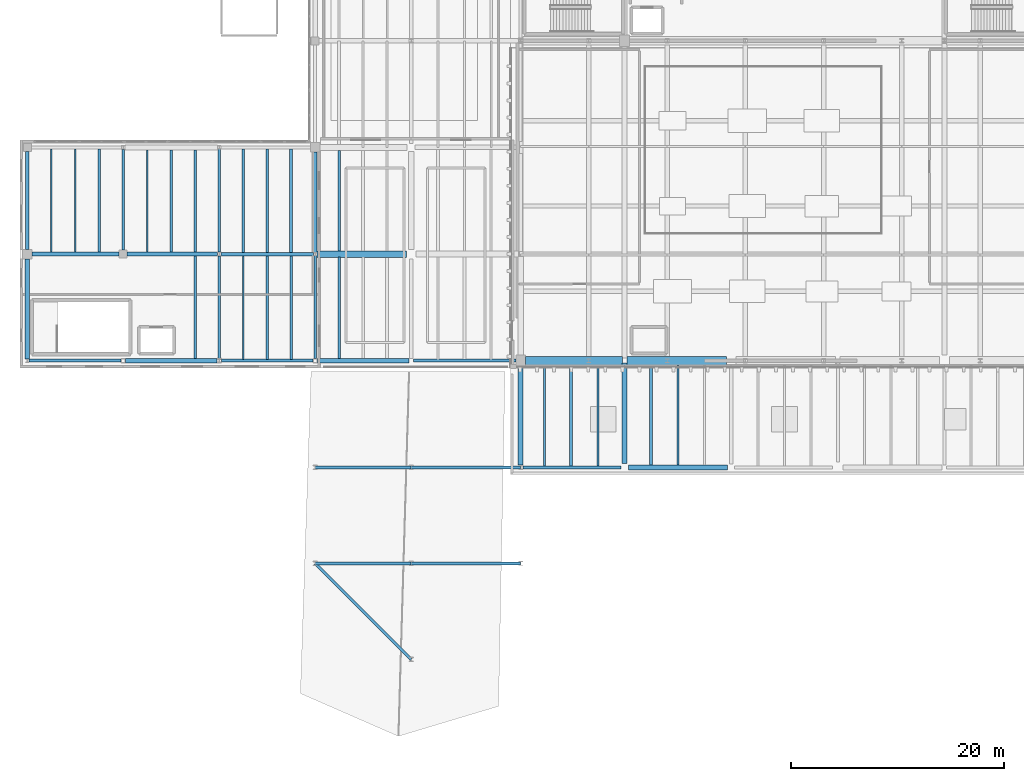
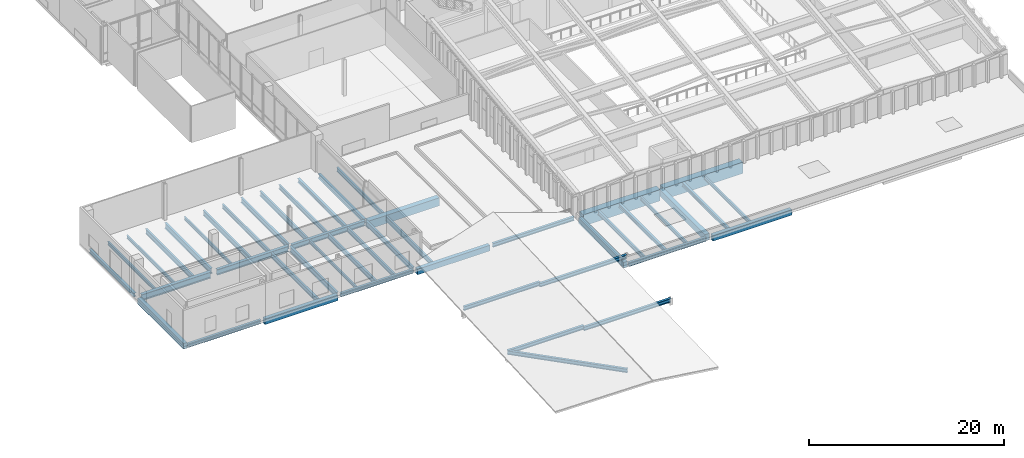
# One storey, part 9 of 30: 47 beams.
"""IFC4 building model written with IfcOpenShell, lengths in metres."""

from ifc_helpers import new_model, si_unit, direction, frame, origin, origin_2d, place, context, subcontext, project, spatial, rectangle, i_section, extrude, material, material_profile, profile_set, type_object, element, save


model = new_model("IFC4")

# Units and contexts
model_context = context("Model", 3, precision=1e-05, world=origin(), true_north=direction((0.0, 1.0)))
body_context = subcontext(model_context, "Body", "Model", "MODEL_VIEW")
ifc_project = project(units=[si_unit("LENGTHUNIT", "METRE"), si_unit("AREAUNIT", "SQUARE_METRE"), si_unit("VOLUMEUNIT", "CUBIC_METRE"), si_unit("PLANEANGLEUNIT", "RADIAN"), si_unit("MASSUNIT", "GRAM", prefix="KILO")], contexts=[model_context])

# Site, building, storey
site_placement = place(None, origin())
site = spatial("IfcSite", under=ifc_project, at=site_placement, CompositionType="ELEMENT")
building_placement = place(site_placement, origin())
building = spatial("IfcBuilding", under=site, at=building_placement, Name="Trimount Lyric Opera House", CompositionType="ELEMENT")
storey_placement = place(building_placement, frame((0.0, 0.0, 24.800048828125)))
storey = spatial("IfcBuildingStorey", under=building, at=storey_placement, Name="L05", CompositionType="ELEMENT", Elevation=24.800048828125)

# Beams
ifc_material_1 = material(Name="Steel ASTM A992 Grade 50", Category="steel")
ifc_material_profile_1 = material_profile(ifc_material_1, i_section(OverallWidth=0.382080078125, OverallDepth=0.779052734375, WebThickness=0.01806640625, FlangeThickness=0.0302734375, FilletRadius=0.01904296875, at=origin_2d()), Name="W30X191")
ifc_profile_set_1 = profile_set([ifc_material_profile_1], Name="Steel ASTM A992 Grade 50")
beam_type_1 = type_object("IfcBeamType", Name="B-06", PredefinedType="BEAM", material=ifc_profile_set_1)
beam_1_placement = place(storey_placement, frame((18.449951171875, 64.0, -0.649658203125), z_axis=(1.0, 0.0, 0.0), x_axis=(0.0, 1.0, 0.0)))
element("IfcBeam", 1, at=beam_1_placement, inside=storey, type_object=beam_type_1, Name="L05 girder X-1261", PredefinedType="BEAM", context=body_context, shape_type="SweptSolid", body=[
    extrude(i_section(OverallWidth=0.382080078125, OverallDepth=0.779052734375, WebThickness=0.01806640625, FlangeThickness=0.0302734375, FilletRadius=0.01904296875, at=origin_2d()), origin(), (0.0, 0.0, 1.0), 8.175048828125),
])
ifc_material_2 = material(Name="Steel ASTM A992 Grade 50", Category="steel")
ifc_material_profile_2 = material_profile(ifc_material_2, i_section(OverallWidth=0.35595703125, OverallDepth=0.700927734375, WebThickness=0.016845703125, FlangeThickness=0.02734375, FilletRadius=0.01806640625, at=origin_2d()), Name="W27X161")
ifc_profile_set_2 = profile_set([ifc_material_profile_2], Name="Steel ASTM A992 Grade 50")
beam_type_2 = type_object("IfcBeamType", Name="B-08", PredefinedType="BEAM", material=ifc_profile_set_2)
beam_2_placement = place(storey_placement, frame((27.375, 64.0, -0.610595703125), z_axis=(1.0, 0.0, 0.0), x_axis=(0.0, 1.0, 0.0)))
element("IfcBeam", 2, at=beam_2_placement, inside=storey, type_object=beam_type_2, Name="L05 girder X-1262", PredefinedType="BEAM", context=body_context, shape_type="SweptSolid", body=[
    extrude(i_section(OverallWidth=0.35595703125, OverallDepth=0.700927734375, WebThickness=0.016845703125, FlangeThickness=0.02734375, FilletRadius=0.01806640625, at=origin_2d()), origin(), (0.0, 0.0, 1.0), 8.44091796875),
])
ifc_material_3 = material(Name="Steel ASTM A992 Grade 50", Category="steel")
ifc_material_profile_3 = material_profile(ifc_material_3, i_section(OverallWidth=0.25390625, OverallDepth=0.68798828125, WebThickness=0.01318359375, FlangeThickness=0.02099609375, FilletRadius=0.01611328125, at=origin_2d()), Name="W27X102")
ifc_profile_set_3 = profile_set([ifc_material_profile_3], Name="Steel ASTM A992 Grade 50")
beam_type_3 = type_object("IfcBeamType", Name="B-09", PredefinedType="BEAM", material=ifc_profile_set_3)
beam_3_placement = place(storey_placement, frame((27.0, 64.375, -0.60400390625), z_axis=(0.0, 1.0, 0.0), x_axis=(-1.0, 0.0, 0.0)))
element("IfcBeam", 3, at=beam_3_placement, inside=storey, type_object=beam_type_3, Name="L05 girder Y-1295", PredefinedType="BEAM", context=body_context, shape_type="SweptSolid", body=[
    extrude(i_section(OverallWidth=0.25390625, OverallDepth=0.68798828125, WebThickness=0.01318359375, FlangeThickness=0.02099609375, FilletRadius=0.01611328125, at=origin_2d()), origin(), (0.0, 0.0, 1.0), 9.447021484375),
])
beam_4_placement = place(storey_placement, frame((36.0, 54.20849609375, -0.60400390625), z_axis=(0.0, 1.0, 0.0), x_axis=(-1.0, 0.0, 0.0)))
element("IfcBeam", 4, at=beam_4_placement, inside=storey, type_object=beam_type_3, Name="L05 girder Y-1296", PredefinedType="BEAM", context=body_context, shape_type="SweptSolid", body=[
    extrude(i_section(OverallWidth=0.25390625, OverallDepth=0.68798828125, WebThickness=0.01318359375, FlangeThickness=0.02099609375, FilletRadius=0.01611328125, at=origin_2d()), origin(), (0.0, 0.0, 1.0), 9.613525390625),
])
ifc_material_4 = material(Name="Steel ASTM A992 Grade 50", Category="steel")
ifc_material_profile_4 = material_profile(ifc_material_4, i_section(OverallWidth=0.327880859375, OverallDepth=0.626953125, WebThickness=0.0166015625, FlangeThickness=0.027587890625, FilletRadius=0.01611328125, at=origin_2d()), Name="W24X146")
ifc_profile_set_4 = profile_set([ifc_material_profile_4], Name="Steel ASTM A992 Grade 50")
beam_type_4 = type_object("IfcBeamType", Name="B-10", PredefinedType="BEAM", material=ifc_profile_set_4)
beam_5_placement = place(storey_placement, frame((36.18408203125, 64.0, -0.573486328125), z_axis=(1.0, 0.0, 0.0), x_axis=(0.0, 1.0, 0.0)))
element("IfcBeam", 5, at=beam_5_placement, inside=storey, type_object=beam_type_4, Name="L05 girder X-1263", PredefinedType="BEAM", context=body_context, shape_type="SweptSolid", body=[
    extrude(i_section(OverallWidth=0.327880859375, OverallDepth=0.626953125, WebThickness=0.0166015625, FlangeThickness=0.027587890625, FilletRadius=0.01611328125, at=origin_2d()), origin(), (0.0, 0.0, 1.0), 8.663330078125),
])
ifc_material_5 = material(Name="Steel ASTM A992 Grade 50", Category="steel")
ifc_material_profile_5 = material_profile(ifc_material_5, i_section(OverallWidth=0.22998046875, OverallDepth=0.616943359375, WebThickness=0.01318359375, FlangeThickness=0.022216796875, FilletRadius=0.013916015625, at=origin_2d()), Name="W24X94")
ifc_profile_set_5 = profile_set([ifc_material_profile_5], Name="Steel ASTM A992 Grade 50")
beam_type_5 = type_object("IfcBeamType", Name="B-11", PredefinedType="BEAM", material=ifc_profile_set_5)
beam_6_placement = place(storey_placement, frame((36.0, 64.177978515625, -0.568603515625), z_axis=(0.0, 1.0, 0.0), x_axis=(-1.0, 0.0, 0.0)))
element("IfcBeam", 6, at=beam_6_placement, inside=storey, type_object=beam_type_5, Name="L05 girder Y-1297", PredefinedType="BEAM", context=body_context, shape_type="SweptSolid", body=[
    extrude(i_section(OverallWidth=0.22998046875, OverallDepth=0.616943359375, WebThickness=0.01318359375, FlangeThickness=0.022216796875, FilletRadius=0.013916015625, at=origin_2d()), origin(), (0.0, 0.0, 1.0), 9.66845703125),
])
beam_7_placement = place(storey_placement, frame((45.0, 54.203125, -0.568603515625), z_axis=(0.0, 1.0, 0.0), x_axis=(-1.0, 0.0, 0.0)))
element("IfcBeam", 7, at=beam_7_placement, inside=storey, type_object=beam_type_5, Name="L05 girder Y-1300", PredefinedType="BEAM", context=body_context, shape_type="SweptSolid", body=[
    extrude(i_section(OverallWidth=0.22998046875, OverallDepth=0.616943359375, WebThickness=0.01318359375, FlangeThickness=0.022216796875, FilletRadius=0.013916015625, at=origin_2d()), origin(), (0.0, 0.0, 1.0), 9.643310546875),
])
ifc_material_6 = material(Name="Steel ASTM A992 Grade 50", Category="steel")
ifc_material_profile_6 = material_profile(ifc_material_6, i_section(OverallWidth=0.31201171875, OverallDepth=0.5458984375, WebThickness=0.013916015625, FlangeThickness=0.022216796875, FilletRadius=0.014892578125, at=origin_2d()), Name="W21X111")
ifc_profile_set_6 = profile_set([ifc_material_profile_6], Name="Steel ASTM A992 Grade 50")
beam_type_6 = type_object("IfcBeamType", Name="B-12", PredefinedType="BEAM", material=ifc_profile_set_6)
beam_8_placement = place(storey_placement, frame((45.0, 64.153564453125, -0.532958984375), z_axis=(0.0, 1.0, 0.0), x_axis=(-1.0, 0.0, 0.0)))
element("IfcBeam", 8, at=beam_8_placement, inside=storey, type_object=beam_type_6, Name="L05 girder Y-1301", PredefinedType="BEAM", context=body_context, shape_type="SweptSolid", body=[
    extrude(i_section(OverallWidth=0.31201171875, OverallDepth=0.5458984375, WebThickness=0.013916015625, FlangeThickness=0.022216796875, FilletRadius=0.014892578125, at=origin_2d()), origin(), (0.0, 0.0, 1.0), 9.396484375),
])
ifc_material_7 = material(Name="Concrete C40/50", Category="concrete")
ifc_material_profile_7 = material_profile(ifc_material_7, rectangle(XDim=0.60009765625, YDim=1.0, at=origin_2d()), Name="RC600X1000")
ifc_profile_set_7 = profile_set([ifc_material_profile_7], Name="Concrete C40/50")
beam_type_7 = type_object("IfcBeamType", Name="B-13", PredefinedType="BEAM", material=ifc_profile_set_7)
beam_9_placement = place(storey_placement, frame((45.152587890625, 64.0, -0.85009765625), z_axis=(1.0, 0.0, 0.0), x_axis=(0.0, 1.0, 0.0)))
element("IfcBeam", 9, at=beam_9_placement, inside=storey, type_object=beam_type_7, Name="L05 girder X-1264", PredefinedType="BEAM", context=body_context, shape_type="SweptSolid", body=[
    extrude(rectangle(XDim=0.60009765625, YDim=1.0, at=origin_2d()), origin(), (0.0, 0.0, 1.0), 8.3974609375),
])
ifc_material_8 = material(Name="Concrete C40/50", Category="concrete")
ifc_material_profile_8 = material_profile(ifc_material_8, rectangle(XDim=0.5, YDim=0.800048828125, at=origin_2d()), Name="RC500X800")
ifc_profile_set_8 = profile_set([ifc_material_profile_8], Name="Concrete C40/50")
beam_type_8 = type_object("IfcBeamType", Name="B-15", PredefinedType="BEAM", material=ifc_profile_set_8)
beam_10_placement = place(storey_placement, frame((74.0, 44.35009765625, -0.699951171875), z_axis=(0.0, 1.0, 0.0), x_axis=(-1.0, 0.0, 0.0)))
element("IfcBeam", 10, at=beam_10_placement, inside=storey, type_object=beam_type_8, Name="L05 girder Y-1321", PredefinedType="BEAM", context=body_context, shape_type="SweptSolid", body=[
    extrude(rectangle(XDim=0.5, YDim=0.800048828125, at=origin_2d()), origin(), (0.0, 0.0, 1.0), 9.41748046875),
])
ifc_material_9 = material(Name="Steel ASTM A992 Grade 50", Category="steel")
ifc_material_profile_9 = material_profile(ifc_material_9, i_section(OverallWidth=0.281982421875, OverallDepth=0.467041015625, WebThickness=0.01220703125, FlangeThickness=0.01953125, FilletRadius=0.012939453125, at=origin_2d()), Name="W18X86")
ifc_profile_set_9 = profile_set([ifc_material_profile_9], Name="Steel ASTM A992 Grade 50")
beam_type_9 = type_object("IfcBeamType", Name="B-16", PredefinedType="BEAM", material=ifc_profile_set_9)
beam_11_placement = place(storey_placement, frame((45.0, 35.0, 0.786376953125), z_axis=(0.707106781187, -0.707106781187, 0.0), x_axis=(0.707106781187, 0.707106781187, 0.0)))
element("IfcBeam", 11, at=beam_11_placement, inside=storey, type_object=beam_type_9, Name="CR-RAF-S3-1 crystal roof support girder", PredefinedType="BEAM", context=body_context, shape_type="SweptSolid", body=[
    extrude(i_section(OverallWidth=0.281982421875, OverallDepth=0.467041015625, WebThickness=0.01220703125, FlangeThickness=0.01953125, FilletRadius=0.012939453125, at=origin_2d()), origin(), (0.0, 0.0, 1.0), 12.72802734375),
])
for number, where, z_axis, x_axis, name in (
    (12, (45.0, 35.0, 0.786376953125), (1.0, 0.0, 0.0), (0.0, 1.0, 0.0), "CR-RAF-S3-2 crystal roof support girder"),
    (13, (45.0, 44.0, 0.786376953125), (1.0, 0.0, 0.0), (0.0, 1.0, 0.0), "CR-RAF-S3-0 crystal roof support girder"),
):
    element("IfcBeam", number, at=place(storey_placement, frame(where, z_axis=z_axis, x_axis=x_axis)), inside=storey, type_object=beam_type_9, Name=name, PredefinedType="BEAM", context=body_context, shape_type="SweptSolid", body=[
        extrude(i_section(OverallWidth=0.281982421875, OverallDepth=0.467041015625, WebThickness=0.01220703125, FlangeThickness=0.01953125, FilletRadius=0.012939453125, at=origin_2d()), origin(), (0.0, 0.0, 1.0), 9.0),
    ])
for number, where, z_axis, x_axis, name in (
    (14, (54.0, 35.0, 0.56640625), (1.0, 0.0, 0.0), (0.0, 1.0, 0.0), "CR-RAF-S3-3 crystal roof support girder"),
    (15, (54.0, 44.0, 0.56640625), (1.0, 0.0, 0.0), (0.0, 1.0, 0.0), "CR-RAF-S3-4 crystal roof support girder"),
):
    element("IfcBeam", number, at=place(storey_placement, frame(where, z_axis=z_axis, x_axis=x_axis)), inside=storey, type_object=beam_type_9, Name=name, PredefinedType="BEAM", context=body_context, shape_type="SweptSolid", body=[
        extrude(i_section(OverallWidth=0.281982421875, OverallDepth=0.467041015625, WebThickness=0.01220703125, FlangeThickness=0.01953125, FilletRadius=0.012939453125, at=origin_2d()), origin(), (0.0, 0.0, 1.0), 10.260009765625),
    ])
ifc_material_10 = material(Name="Steel ASTM A992 Grade 50", Category="steel")
ifc_material_profile_10 = material_profile(ifc_material_10, i_section(OverallWidth=0.22802734375, OverallDepth=0.60205078125, WebThickness=0.010498046875, FlangeThickness=0.014892578125, FilletRadius=0.012939453125, at=origin_2d()), Name="W24X68")
ifc_profile_set_10 = profile_set([ifc_material_profile_10], Name="Steel ASTM A992 Grade 50")
beam_type_10 = type_object("IfcBeamType", Name="J-01", PredefinedType="BEAM", material=ifc_profile_set_10)
beam_12_placement = place(storey_placement, frame((24.75, 64.18701171875, -0.56103515625), z_axis=(0.0, 1.0, 0.0), x_axis=(-1.0, 0.0, 0.0)))
element("IfcBeam", 16, at=beam_12_placement, inside=storey, type_object=beam_type_10, Name="L05 composite floor joist 1230", PredefinedType="BEAM", context=body_context, shape_type="SweptSolid", body=[
    extrude(i_section(OverallWidth=0.22802734375, OverallDepth=0.60205078125, WebThickness=0.010498046875, FlangeThickness=0.014892578125, FilletRadius=0.012939453125, at=origin_2d()), origin(), (0.0, 0.0, 1.0), 9.676025390625),
])
for number, where, z_axis, x_axis, name in (
    (17, (33.75, 54.220947265625, -0.56103515625), (0.0, 1.0, 0.0), (-1.0, 0.0, 0.0), "L05 composite floor joist 1231"),
    (18, (31.5, 64.174072265625, -0.56103515625), (0.0, 1.0, 0.0), (-1.0, 0.0, 0.0), "L05 composite floor joist 1233"),
):
    element("IfcBeam", number, at=place(storey_placement, frame(where, z_axis=z_axis, x_axis=x_axis)), inside=storey, type_object=beam_type_10, Name=name, PredefinedType="BEAM", context=body_context, shape_type="SweptSolid", body=[
        extrude(i_section(OverallWidth=0.22802734375, OverallDepth=0.60205078125, WebThickness=0.010498046875, FlangeThickness=0.014892578125, FilletRadius=0.012939453125, at=origin_2d()), origin(), (0.0, 0.0, 1.0), 9.60498046875),
    ])
for number, where, z_axis, x_axis, name in (
    (19, (40.5, 54.136962890625, -0.56103515625), (0.0, 1.0, 0.0), (-1.0, 0.0, 0.0), "L05 composite floor joist 1236"),
    (20, (38.25, 64.159912109375, -0.56103515625), (0.0, 1.0, 0.0), (-1.0, 0.0, 0.0), "L05 composite floor joist 1238"),
):
    element("IfcBeam", number, at=place(storey_placement, frame(where, z_axis=z_axis, x_axis=x_axis)), inside=storey, type_object=beam_type_10, Name=name, PredefinedType="BEAM", context=body_context, shape_type="SweptSolid", body=[
        extrude(i_section(OverallWidth=0.22802734375, OverallDepth=0.60205078125, WebThickness=0.010498046875, FlangeThickness=0.014892578125, FilletRadius=0.012939453125, at=origin_2d()), origin(), (0.0, 0.0, 1.0), 9.703125),
    ])
beam_13_placement = place(storey_placement, frame((47.25, 54.220947265625, -0.651123046875), z_axis=(0.0, 1.0, 0.0), x_axis=(-1.0, 0.0, 0.0)))
element("IfcBeam", 21, at=beam_13_placement, inside=storey, type_object=beam_type_10, Name="L05 composite floor joist 1247", PredefinedType="BEAM", context=body_context, shape_type="SweptSolid", body=[
    extrude(i_section(OverallWidth=0.22802734375, OverallDepth=0.60205078125, WebThickness=0.010498046875, FlangeThickness=0.014892578125, FilletRadius=0.012939453125, at=origin_2d()), origin(), (0.0, 0.0, 1.0), 9.483154296875),
])
ifc_material_11 = material(Name="Steel ASTM A992 Grade 50", Category="steel")
ifc_material_profile_11 = material_profile(ifc_material_11, i_section(OverallWidth=0.2099609375, OverallDepth=0.532958984375, WebThickness=0.01025390625, FlangeThickness=0.015625, FilletRadius=0.012939453125, at=origin_2d()), Name="W21X62")
ifc_profile_set_11 = profile_set([ifc_material_profile_11], Name="Steel ASTM A992 Grade 50")
beam_type_11 = type_object("IfcBeamType", Name="J-02", PredefinedType="BEAM", material=ifc_profile_set_11)
beam_14_placement = place(storey_placement, frame((33.75, 64.174072265625, -0.526611328125), z_axis=(0.0, 1.0, 0.0), x_axis=(-1.0, 0.0, 0.0)))
element("IfcBeam", 22, at=beam_14_placement, inside=storey, type_object=beam_type_11, Name="L05 composite floor joist 1234", PredefinedType="BEAM", context=body_context, shape_type="SweptSolid", body=[
    extrude(i_section(OverallWidth=0.2099609375, OverallDepth=0.532958984375, WebThickness=0.01025390625, FlangeThickness=0.015625, FilletRadius=0.012939453125, at=origin_2d()), origin(), (0.0, 0.0, 1.0), 9.60498046875),
])
for number, where, z_axis, x_axis, name in (
    (23, (42.75, 54.136962890625, -0.526611328125), (0.0, 1.0, 0.0), (-1.0, 0.0, 0.0), "L05 composite floor joist 1237"),
    (24, (40.5, 64.159912109375, -0.526611328125), (0.0, 1.0, 0.0), (-1.0, 0.0, 0.0), "L05 composite floor joist 1239"),
):
    element("IfcBeam", number, at=place(storey_placement, frame(where, z_axis=z_axis, x_axis=x_axis)), inside=storey, type_object=beam_type_11, Name=name, PredefinedType="BEAM", context=body_context, shape_type="SweptSolid", body=[
        extrude(i_section(OverallWidth=0.2099609375, OverallDepth=0.532958984375, WebThickness=0.01025390625, FlangeThickness=0.015625, FilletRadius=0.012939453125, at=origin_2d()), origin(), (0.0, 0.0, 1.0), 9.703125),
    ])
beam_15_placement = place(storey_placement, frame((47.25, 64.2958984375, -0.616455078125), z_axis=(0.0, 1.0, 0.0), x_axis=(-1.0, 0.0, 0.0)))
element("IfcBeam", 25, at=beam_15_placement, inside=storey, type_object=beam_type_11, Name="L05 composite floor joist 1250", PredefinedType="BEAM", context=body_context, shape_type="SweptSolid", body=[
    extrude(i_section(OverallWidth=0.2099609375, OverallDepth=0.532958984375, WebThickness=0.01025390625, FlangeThickness=0.015625, FilletRadius=0.012939453125, at=origin_2d()), origin(), (0.0, 0.0, 1.0), 9.43310546875),
])
beam_16_placement = place(storey_placement, frame((66.5, 44.136962890625, -0.566650390625), z_axis=(0.0, 1.0, 0.0), x_axis=(-1.0, 0.0, 0.0)))
element("IfcBeam", 26, at=beam_16_placement, inside=storey, type_object=beam_type_11, Name="L05 composite floor joist 1283", PredefinedType="BEAM", context=body_context, shape_type="SweptSolid", body=[
    extrude(i_section(OverallWidth=0.2099609375, OverallDepth=0.532958984375, WebThickness=0.01025390625, FlangeThickness=0.015625, FilletRadius=0.012939453125, at=origin_2d()), origin(), (0.0, 0.0, 1.0), 9.467041015625),
])
ifc_material_12 = material(Name="Steel ASTM A992 Grade 50", Category="steel")
ifc_material_profile_12 = material_profile(ifc_material_12, i_section(OverallWidth=0.281982421875, OverallDepth=0.467041015625, WebThickness=0.01220703125, FlangeThickness=0.01953125, FilletRadius=0.012939453125, at=origin_2d()), Name="W18X86")
ifc_profile_set_12 = profile_set([ifc_material_profile_12], Name="Steel ASTM A992 Grade 50")
beam_type_12 = type_object("IfcBeamType", Name="J-03", PredefinedType="BEAM", material=ifc_profile_set_12)
beam_17_placement = place(storey_placement, frame((42.75, 64.159912109375, -0.49365234375), z_axis=(0.0, 1.0, 0.0), x_axis=(-1.0, 0.0, 0.0)))
element("IfcBeam", 27, at=beam_17_placement, inside=storey, type_object=beam_type_12, Name="L05 composite floor joist 1240", PredefinedType="BEAM", context=body_context, shape_type="SweptSolid", body=[
    extrude(i_section(OverallWidth=0.281982421875, OverallDepth=0.467041015625, WebThickness=0.01220703125, FlangeThickness=0.01953125, FilletRadius=0.012939453125, at=origin_2d()), origin(), (0.0, 0.0, 1.0), 9.703125),
])
beam_18_placement = place(storey_placement, frame((69.0, 44.136962890625, -0.533447265625), z_axis=(0.0, 1.0, 0.0), x_axis=(-1.0, 0.0, 0.0)))
element("IfcBeam", 28, at=beam_18_placement, inside=storey, type_object=beam_type_12, Name="L05 composite floor joist 1284", PredefinedType="BEAM", context=body_context, shape_type="SweptSolid", body=[
    extrude(i_section(OverallWidth=0.281982421875, OverallDepth=0.467041015625, WebThickness=0.01220703125, FlangeThickness=0.01953125, FilletRadius=0.012939453125, at=origin_2d()), origin(), (0.0, 0.0, 1.0), 9.467041015625),
])
beam_19_placement = place(storey_placement, frame((76.5, 44.220947265625, -0.533447265625), z_axis=(0.0, 1.0, 0.0), x_axis=(-1.0, 0.0, 0.0)))
element("IfcBeam", 29, at=beam_19_placement, inside=storey, type_object=beam_type_12, Name="L05 composite floor joist 1286", PredefinedType="BEAM", context=body_context, shape_type="SweptSolid", body=[
    extrude(i_section(OverallWidth=0.281982421875, OverallDepth=0.467041015625, WebThickness=0.01220703125, FlangeThickness=0.01953125, FilletRadius=0.012939453125, at=origin_2d()), origin(), (0.0, 0.0, 1.0), 9.383056640625),
])
ifc_material_13 = material(Name="Steel ASTM A992 Grade 50", Category="steel")
ifc_material_profile_13 = material_profile(ifc_material_13, i_section(OverallWidth=0.19091796875, OverallDepth=0.45703125, WebThickness=0.009033203125, FlangeThickness=0.014404296875, FilletRadius=0.010986328125, at=origin_2d()), Name="W18X50")
ifc_profile_set_13 = profile_set([ifc_material_profile_13], Name="Steel ASTM A992 Grade 50")
beam_type_13 = type_object("IfcBeamType", Name="J-04", PredefinedType="BEAM", material=ifc_profile_set_13)
beam_20_placement = place(storey_placement, frame((71.5, 44.136962890625, -0.528564453125), z_axis=(0.0, 1.0, 0.0), x_axis=(-1.0, 0.0, 0.0)))
element("IfcBeam", 30, at=beam_20_placement, inside=storey, type_object=beam_type_13, Name="L05 composite floor joist 1285", PredefinedType="BEAM", context=body_context, shape_type="SweptSolid", body=[
    extrude(i_section(OverallWidth=0.19091796875, OverallDepth=0.45703125, WebThickness=0.009033203125, FlangeThickness=0.014404296875, FilletRadius=0.010986328125, at=origin_2d()), origin(), (0.0, 0.0, 1.0), 9.467041015625),
])
beam_21_placement = place(storey_placement, frame((79.0, 44.220947265625, -0.528564453125), z_axis=(0.0, 1.0, 0.0), x_axis=(-1.0, 0.0, 0.0)))
element("IfcBeam", 31, at=beam_21_placement, inside=storey, type_object=beam_type_13, Name="L05 composite floor joist 1287", PredefinedType="BEAM", context=body_context, shape_type="SweptSolid", body=[
    extrude(i_section(OverallWidth=0.19091796875, OverallDepth=0.45703125, WebThickness=0.009033203125, FlangeThickness=0.014404296875, FilletRadius=0.010986328125, at=origin_2d()), origin(), (0.0, 0.0, 1.0), 9.383056640625),
])
ifc_material_14 = material(Name="Steel ASTM A992 Grade 50", Category="steel")
ifc_material_profile_14 = material_profile(ifc_material_14, i_section(OverallWidth=0.180908203125, OverallDepth=0.4169921875, WebThickness=0.010986328125, FlangeThickness=0.018310546875, FilletRadius=0.010986328125, at=origin_2d()), Name="W16X57")
ifc_profile_set_14 = profile_set([ifc_material_profile_14], Name="Steel ASTM A992 Grade 50")
beam_type_14 = type_object("IfcBeamType", Name="J-05", PredefinedType="BEAM", material=ifc_profile_set_14)
beam_22_placement = place(storey_placement, frame((20.25, 64.18701171875, -0.468505859375), z_axis=(0.0, 1.0, 0.0), x_axis=(-1.0, 0.0, 0.0)))
element("IfcBeam", 32, at=beam_22_placement, inside=storey, type_object=beam_type_14, Name="L05 composite floor joist 1228", PredefinedType="BEAM", context=body_context, shape_type="SweptSolid", body=[
    extrude(i_section(OverallWidth=0.180908203125, OverallDepth=0.4169921875, WebThickness=0.010986328125, FlangeThickness=0.018310546875, FilletRadius=0.010986328125, at=origin_2d()), origin(), (0.0, 0.0, 1.0), 9.676025390625),
])
ifc_material_15 = material(Name="Steel ASTM A992 Grade 50", Category="steel")
ifc_material_profile_15 = material_profile(ifc_material_15, i_section(OverallWidth=0.177978515625, OverallDepth=0.404052734375, WebThickness=0.007568359375, FlangeThickness=0.010986328125, FilletRadius=0.010009765625, at=origin_2d()), Name="W16X36")
ifc_profile_set_15 = profile_set([ifc_material_profile_15], Name="Steel ASTM A992 Grade 50")
beam_type_15 = type_object("IfcBeamType", Name="J-06", PredefinedType="BEAM", material=ifc_profile_set_15)
beam_23_placement = place(storey_placement, frame((22.5, 64.18701171875, -0.462158203125), z_axis=(0.0, 1.0, 0.0), x_axis=(-1.0, 0.0, 0.0)))
element("IfcBeam", 33, at=beam_23_placement, inside=storey, type_object=beam_type_15, Name="L05 composite floor joist 1229", PredefinedType="BEAM", context=body_context, shape_type="SweptSolid", body=[
    extrude(i_section(OverallWidth=0.177978515625, OverallDepth=0.404052734375, WebThickness=0.007568359375, FlangeThickness=0.010986328125, FilletRadius=0.010009765625, at=origin_2d()), origin(), (0.0, 0.0, 1.0), 9.676025390625),
])
beam_24_placement = place(storey_placement, frame((29.25, 64.174072265625, -0.462158203125), z_axis=(0.0, 1.0, 0.0), x_axis=(-1.0, 0.0, 0.0)))
element("IfcBeam", 34, at=beam_24_placement, inside=storey, type_object=beam_type_15, Name="L05 composite floor joist 1232", PredefinedType="BEAM", context=body_context, shape_type="SweptSolid", body=[
    extrude(i_section(OverallWidth=0.177978515625, OverallDepth=0.404052734375, WebThickness=0.007568359375, FlangeThickness=0.010986328125, FilletRadius=0.010009765625, at=origin_2d()), origin(), (0.0, 0.0, 1.0), 9.60498046875),
])
beam_25_placement = place(storey_placement, frame((38.25, 54.136962890625, -0.462158203125), z_axis=(0.0, 1.0, 0.0), x_axis=(-1.0, 0.0, 0.0)))
element("IfcBeam", 35, at=beam_25_placement, inside=storey, type_object=beam_type_15, Name="L05 composite floor joist 1235", PredefinedType="BEAM", context=body_context, shape_type="SweptSolid", body=[
    extrude(i_section(OverallWidth=0.177978515625, OverallDepth=0.404052734375, WebThickness=0.007568359375, FlangeThickness=0.010986328125, FilletRadius=0.010009765625, at=origin_2d()), origin(), (0.0, 0.0, 1.0), 9.703125),
])
ifc_material_16 = material(Name="Steel ASTM A992 Grade 50", Category="steel")
ifc_material_profile_16 = material_profile(ifc_material_16, i_section(OverallWidth=0.281982421875, OverallDepth=0.467041015625, WebThickness=0.01220703125, FlangeThickness=0.01953125, FilletRadius=0.012939453125, at=origin_2d()), Name="W18X86")
ifc_profile_set_16 = profile_set([ifc_material_profile_16], Name="Steel ASTM A992 Grade 50")
beam_type_16 = type_object("IfcBeamType", Name="SP-01", PredefinedType="SPANDREL", material=ifc_profile_set_16)
beam_26_placement = place(storey_placement, frame((64.462890625, 44.0, -0.5234375), z_axis=(1.0, 0.0, 0.0), x_axis=(0.0, 1.0, 0.0)))
element("IfcBeam", 36, at=beam_26_placement, inside=storey, type_object=beam_type_16, Name="L05 girder X-1244", PredefinedType="SPANDREL", context=body_context, shape_type="SweptSolid", body=[
    extrude(i_section(OverallWidth=0.281982421875, OverallDepth=0.467041015625, WebThickness=0.01220703125, FlangeThickness=0.01953125, FilletRadius=0.012939453125, at=origin_2d()), origin(), (0.0, 0.0, 1.0), 9.18701171875),
])
beam_27_placement = place(storey_placement, frame((18.152587890625, 54.0, -0.49365234375), z_axis=(1.0, 0.0, 0.0), x_axis=(0.0, 1.0, 0.0)))
element("IfcBeam", 37, at=beam_27_placement, inside=storey, type_object=beam_type_16, Name="L05 girder X-1250", PredefinedType="SPANDREL", context=body_context, shape_type="SweptSolid", body=[
    extrude(i_section(OverallWidth=0.281982421875, OverallDepth=0.467041015625, WebThickness=0.01220703125, FlangeThickness=0.01953125, FilletRadius=0.012939453125, at=origin_2d()), origin(), (0.0, 0.0, 1.0), 8.644287109375),
])
beam_28_placement = place(storey_placement, frame((36.202880859375, 54.0, -0.49365234375), z_axis=(1.0, 0.0, 0.0), x_axis=(0.0, 1.0, 0.0)))
element("IfcBeam", 38, at=beam_28_placement, inside=storey, type_object=beam_type_16, Name="L05 girder X-1252", PredefinedType="SPANDREL", context=body_context, shape_type="SweptSolid", body=[
    extrude(i_section(OverallWidth=0.281982421875, OverallDepth=0.467041015625, WebThickness=0.01220703125, FlangeThickness=0.01953125, FilletRadius=0.012939453125, at=origin_2d()), origin(), (0.0, 0.0, 1.0), 8.593994140625),
])
beam_29_placement = place(storey_placement, frame((54.202880859375, 54.0, -0.58349609375), z_axis=(1.0, 0.0, 0.0), x_axis=(0.0, 1.0, 0.0)))
element("IfcBeam", 39, at=beam_29_placement, inside=storey, type_object=beam_type_16, Name="L05 girder X-1254", PredefinedType="SPANDREL", context=body_context, shape_type="SweptSolid", body=[
    extrude(i_section(OverallWidth=0.281982421875, OverallDepth=0.467041015625, WebThickness=0.01220703125, FlangeThickness=0.01953125, FilletRadius=0.012939453125, at=origin_2d()), origin(), (0.0, 0.0, 1.0), 9.607177734375),
])
beam_30_placement = place(storey_placement, frame((18.0, 64.449951171875, -0.49365234375), z_axis=(0.0, 1.0, 0.0), x_axis=(-1.0, 0.0, 0.0)))
element("IfcBeam", 40, at=beam_30_placement, inside=storey, type_object=beam_type_16, Name="L05 girder Y-1294", PredefinedType="SPANDREL", context=body_context, shape_type="SweptSolid", body=[
    extrude(i_section(OverallWidth=0.281982421875, OverallDepth=0.467041015625, WebThickness=0.01220703125, FlangeThickness=0.01953125, FilletRadius=0.012939453125, at=origin_2d()), origin(), (0.0, 0.0, 1.0), 9.175048828125),
])
ifc_material_17 = material(Name="Concrete C40/50", Category="concrete")
ifc_material_profile_17 = material_profile(ifc_material_17, rectangle(XDim=0.449951171875, YDim=0.699951171875, at=origin_2d()), Name="RC450X700")
ifc_profile_set_17 = profile_set([ifc_material_profile_17], Name="Concrete C40/50")
beam_type_17 = type_object("IfcBeamType", Name="SP-02", PredefinedType="SPANDREL", material=ifc_profile_set_17)
beam_31_placement = place(storey_placement, frame((74.35009765625, 44.0, -0.64013671875), z_axis=(1.0, 0.0, 0.0), x_axis=(0.0, 1.0, 0.0)))
element("IfcBeam", 41, at=beam_31_placement, inside=storey, type_object=beam_type_17, Name="L05 girder X-1245", PredefinedType="SPANDREL", context=body_context, shape_type="SweptSolid", body=[
    extrude(rectangle(XDim=0.449951171875, YDim=0.699951171875, at=origin_2d()), origin(), (0.0, 0.0, 1.0), 9.324951171875),
])
for number, where, z_axis, x_axis, name in (
    (42, (27.203125, 54.0, -0.610107421875), (1.0, 0.0, 0.0), (0.0, 1.0, 0.0), "L05 girder X-1251"),
    (43, (45.203125, 54.0, -0.699951171875), (1.0, 0.0, 0.0), (0.0, 1.0, 0.0), "L05 girder X-1253"),
):
    element("IfcBeam", number, at=place(storey_placement, frame(where, z_axis=z_axis, x_axis=x_axis)), inside=storey, type_object=beam_type_17, Name=name, PredefinedType="SPANDREL", context=body_context, shape_type="SweptSolid", body=[
        extrude(rectangle(XDim=0.449951171875, YDim=0.699951171875, at=origin_2d()), origin(), (0.0, 0.0, 1.0), 8.593994140625),
    ])
beam_32_placement = place(storey_placement, frame((18.0, 54.153564453125, -0.610107421875), z_axis=(0.0, 1.0, 0.0), x_axis=(-1.0, 0.0, 0.0)))
element("IfcBeam", 44, at=beam_32_placement, inside=storey, type_object=beam_type_17, Name="L05 girder Y-1293", PredefinedType="SPANDREL", context=body_context, shape_type="SweptSolid", body=[
    extrude(rectangle(XDim=0.449951171875, YDim=0.699951171875, at=origin_2d()), origin(), (0.0, 0.0, 1.0), 9.396484375),
])
beam_33_placement = place(storey_placement, frame((64.260009765625, 44.20849609375, -0.650146484375), z_axis=(0.0, 1.0, 0.0), x_axis=(-1.0, 0.0, 0.0)))
element("IfcBeam", 45, at=beam_33_placement, inside=storey, type_object=beam_type_17, Name="L05 girder Y-1314", PredefinedType="SPANDREL", context=body_context, shape_type="SweptSolid", body=[
    extrude(rectangle(XDim=0.449951171875, YDim=0.699951171875, at=origin_2d()), origin(), (0.0, 0.0, 1.0), 9.241455078125),
])
ifc_material_18 = material(Name="Concrete C50/60", Category="concrete")
ifc_material_profile_18 = material_profile(ifc_material_18, rectangle(XDim=0.800048828125, YDim=1.39990234375, at=origin_2d()), Name="RC800X1400")
ifc_profile_set_18 = profile_set([ifc_material_profile_18], Name="Concrete C50/60")
beam_type_18 = type_object("IfcBeamType", Name="TG-04", PredefinedType="USERDEFINED", material=ifc_profile_set_18)
beam_34_placement = place(storey_placement, frame((64.7099609375, 54.0, -1.0), z_axis=(1.0, 0.0, 0.0), x_axis=(0.0, 1.0, 0.0)))
element("IfcBeam", 46, at=beam_34_placement, inside=storey, type_object=beam_type_18, Name="L05 girder X-1255", ObjectType="TRANSFER_GIRDER", PredefinedType="USERDEFINED", context=body_context, shape_type="SweptSolid", body=[
    extrude(rectangle(XDim=0.800048828125, YDim=1.39990234375, at=origin_2d()), origin(), (0.0, 0.0, 1.0), 9.0791015625),
])
beam_35_placement = place(storey_placement, frame((74.2109375, 54.0, -1.0), z_axis=(1.0, 0.0, 0.0), x_axis=(0.0, 1.0, 0.0)))
element("IfcBeam", 47, at=beam_35_placement, inside=storey, type_object=beam_type_18, Name="L05 girder X-1256", ObjectType="TRANSFER_GIRDER", PredefinedType="USERDEFINED", context=body_context, shape_type="SweptSolid", body=[
    extrude(rectangle(XDim=0.800048828125, YDim=1.39990234375, at=origin_2d()), origin(), (0.0, 0.0, 1.0), 9.339111328125),
])

save(model, "model.ifc")
